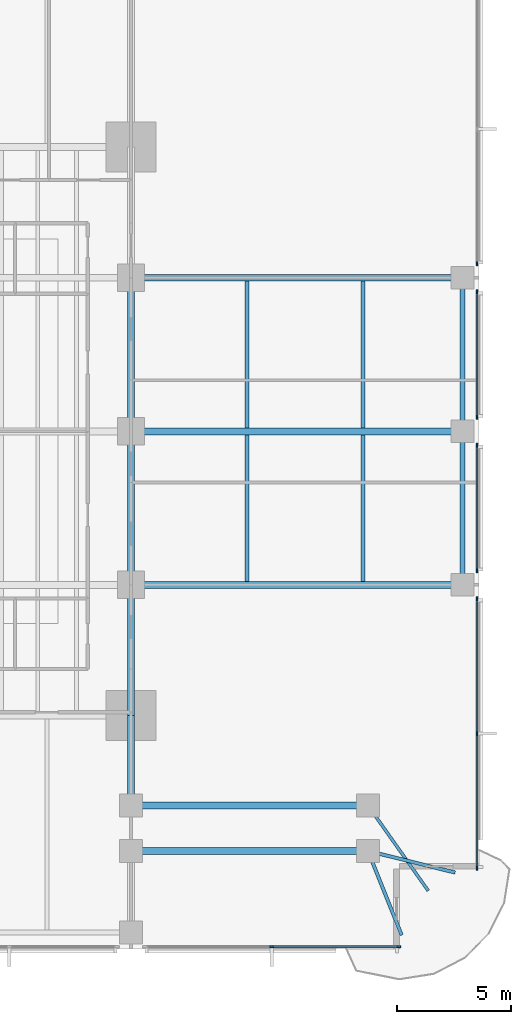
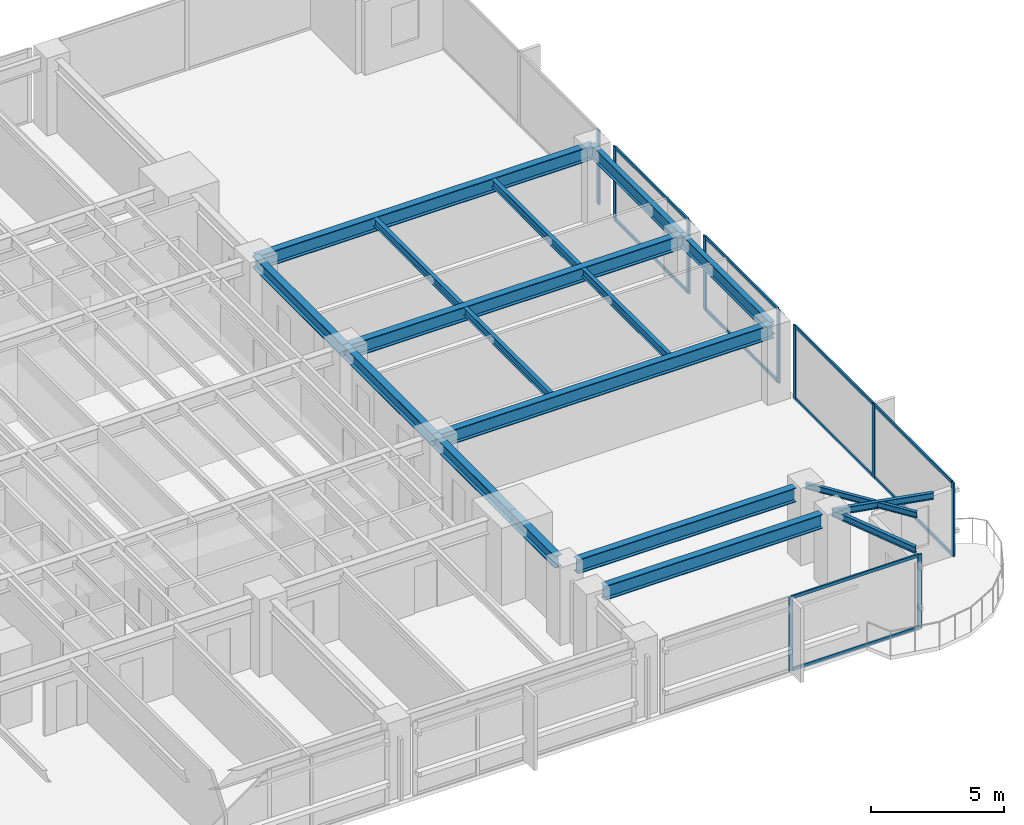
# One storey, part 4 of 16: 20 members, 18 beams, 5 elements without a shape of their own.
"""IFC4 building model written with IfcOpenShell, lengths in metres."""

import ifcopenshell
import ifcopenshell.guid

model = None  # the IFC model being written
_history = None  # IfcOwnerHistory: only IFC2X3 demands one
_inside = {}  # id of a spatial element -> (the spatial element, [elements in it])
_under = {}  # id of a project, library or spatial element -> (it, [spatial elements below it])
_declared = {}  # id of a project -> (the project, [libraries it declares])
_typed = {}  # id of a type object -> (the type object, [elements of that type])
_made_of = {}  # id of a material, layer set ... -> (it, [elements and type objects made of it])


def new_model(schema):
    """Start an empty IFC model of exactly this schema.

    Asked for "IFC4X3", IfcOpenShell would pick the latest addendum, in which some entities
    have other attributes; the version numbers below select the first issue.
    IFC2X3 requires an IfcOwnerHistory on every rooted entity: one is made here for all.
    """
    global model, _history
    if schema == "IFC4X3":
        model = ifcopenshell.file(schema_version=(4, 3, 0, 0))
    else:
        model = ifcopenshell.file(schema=schema)
    _inside.clear()
    _under.clear()
    _declared.clear()
    _typed.clear()
    _made_of.clear()
    _history = None
    if model.schema == "IFC2X3":
        org = make("IfcOrganization", Name="unknown")
        user = make(
            "IfcPersonAndOrganization",
            ThePerson=make("IfcPerson", FamilyName="unknown"),
            TheOrganization=org,
        )
        app = make(
            "IfcApplication",
            ApplicationDeveloper=org,
            Version="unknown",
            ApplicationFullName="unknown",
            ApplicationIdentifier="unknown",
        )
        _history = make(
            "IfcOwnerHistory",
            OwningUser=user,
            OwningApplication=app,
            ChangeAction="ADDED",
            CreationDate=0,
        )
    return model


def make(cls, **values):
    """One entity of the class cls with the attributes given. An attribute that is None is left unset."""
    return model.create_entity(
        cls, **{name: value for name, value in values.items() if value is not None}
    )


def rooted(cls, **values):
    """An entity with a GlobalId (a new one), such as an element, a storey or a relation."""
    return make(cls, GlobalId=ifcopenshell.guid.new(), OwnerHistory=_history, **values)


def si_unit(unit_type, name, prefix=None):
    """IfcSIUnit, for example si_unit("LENGTHUNIT", "METRE", prefix="MILLI")."""
    return make("IfcSIUnit", UnitType=unit_type, Prefix=prefix, Name=name)


def assignment(units):
    """IfcUnitAssignment: the units of a project."""
    return None if units is None else make("IfcUnitAssignment", Units=units)


def point(xyz):
    """IfcCartesianPoint."""
    return None if xyz is None else make("IfcCartesianPoint", Coordinates=xyz)


def direction(xyz):
    """IfcDirection."""
    return None if xyz is None else make("IfcDirection", DirectionRatios=xyz)


def frame(location, z_axis=None, x_axis=None):
    """IfcAxis2Placement3D, a coordinate frame: its origin and axes. An axis left out is left unset."""
    return make(
        "IfcAxis2Placement3D",
        Location=point(location),
        Axis=direction(z_axis),
        RefDirection=direction(x_axis),
    )


def frame_2d(location, x_axis=None):
    """IfcAxis2Placement2D, a coordinate frame in the plane: its origin and x axis."""
    return make(
        "IfcAxis2Placement2D", Location=point(location), RefDirection=direction(x_axis)
    )


def origin():
    """The frame at (0, 0, 0) with its axes left unset."""
    return frame((0.0, 0.0, 0.0))


def origin_2d():
    """The frame at (0, 0) in the plane with its x axis left unset."""
    return frame_2d((0.0, 0.0))


def place(relative_to, where):
    """IfcLocalPlacement: puts the frame where relative to a parent placement (None: the world)."""
    return make(
        "IfcLocalPlacement", PlacementRelTo=relative_to, RelativePlacement=where
    )


def context(
    kind, dimensions, precision=None, world=None, true_north=None, identifier=None
):
    """IfcGeometricRepresentationContext, for example the 3D "Model" context."""
    return make(
        "IfcGeometricRepresentationContext",
        ContextIdentifier=identifier,
        ContextType=kind,
        CoordinateSpaceDimension=dimensions,
        Precision=precision,
        WorldCoordinateSystem=world,
        TrueNorth=true_north,
    )


def subcontext(parent, identifier, kind, view, scale=None):
    """IfcGeometricRepresentationSubContext, for example "Body" below "Model"."""
    return make(
        "IfcGeometricRepresentationSubContext",
        ContextIdentifier=identifier,
        ContextType=kind,
        ParentContext=parent,
        TargetScale=scale,
        TargetView=view,
    )


def project(units=None, contexts=None):
    """IfcProject with its units and contexts."""
    return rooted(
        "IfcProject",
        Name="project",
        RepresentationContexts=contexts,
        UnitsInContext=assignment(units),
    )


def spatial(cls, under=None, at=None, **own):
    """A site, building, storey or space (cls), placed at a placement, below another one or the project."""
    s = rooted(cls, ObjectPlacement=at, **own)
    if under is not None:
        _under.setdefault(under.id(), (under, []))[1].append(s)
    return s


def profile(cls, at=None, kind="AREA", **sizes):
    """A parametric profile (cls). Its sizes go by their IFC names, for example OverallWidth=200.0."""
    return make(cls, ProfileType=kind, Position=at, **sizes)


def rectangle(**sizes):
    """IfcRectangleProfileDef."""
    return profile("IfcRectangleProfileDef", **sizes)


def i_section(**sizes):
    """IfcIShapeProfileDef."""
    return profile("IfcIShapeProfileDef", **sizes)


def extrude(swept, where, along, depth):
    """IfcExtrudedAreaSolid: the profile swept, set in the frame where, extruded along a direction by depth."""
    return make(
        "IfcExtrudedAreaSolid",
        SweptArea=swept,
        Position=where,
        ExtrudedDirection=direction(along),
        Depth=depth,
    )


def shape(context_of_items, identifier, shape_type, items):
    """IfcShapeRepresentation: the items that make up one representation, for example the "Body"."""
    return make(
        "IfcShapeRepresentation",
        ContextOfItems=context_of_items,
        RepresentationIdentifier=identifier,
        RepresentationType=shape_type,
        Items=items,
    )


def material(Name=None, Category=None):
    """IfcMaterial."""
    return make("IfcMaterial", Name=Name, Category=Category)


def layer(
    of_material, thickness, ventilated=None, Name=None, Category=None, Priority=None
):
    """IfcMaterialLayer: one layer of a wall or slab, of a material (None: an air gap)."""
    return make(
        "IfcMaterialLayer",
        Material=of_material,
        LayerThickness=thickness,
        IsVentilated=ventilated,
        Name=Name,
        Category=Category,
        Priority=Priority,
    )


def layer_set(layers, Name=None):
    """IfcMaterialLayerSet."""
    return make("IfcMaterialLayerSet", MaterialLayers=layers, LayerSetName=Name)


def material_profile(
    of_material, cross_section, Name=None, Category=None, Priority=None
):
    """IfcMaterialProfile: a cross section and its material."""
    return make(
        "IfcMaterialProfile",
        Name=Name,
        Material=of_material,
        Profile=cross_section,
        Priority=Priority,
        Category=Category,
    )


def profile_set(profiles, Name=None, composite=None):
    """IfcMaterialProfileSet."""
    return make(
        "IfcMaterialProfileSet",
        Name=Name,
        MaterialProfiles=profiles,
        CompositeProfile=composite,
    )


def made_of(thing, what):
    """Note that an element or type object is made of a material, layer set ...; save() writes the relation."""
    if what is not None:
        _made_of.setdefault(what.id(), (what, []))[1].append(thing)
    return thing


def type_object(cls, material=None, **own):
    """A type object (cls), such as IfcWallType, which elements share."""
    return made_of(rooted(cls, **own), material)


def element(
    cls,
    number,
    at=None,
    inside=None,
    cuts=None,
    type_object=None,
    material=None,
    context=None,
    identifier="Body",
    shape_type=None,
    held_by="IfcProductDefinitionShape",
    body=None,
    shapes=None,
    **own,
):
    """One element of the class cls, such as IfcWall. Its Tag is "e" and its number.

    at: its placement. inside: the storey or other place that contains it. cuts: it is an
    opening in that element (IfcRelVoidsElement). A single representation is given by context,
    identifier, shape_type and body (its items); several are given by shapes. held_by: the class
    of the entity that holds the representations. save() writes the other relations.
    """
    e = rooted(cls, Tag="e%d" % number, ObjectPlacement=at, **own)
    if body is not None:
        shapes = [shape(context, identifier, shape_type, body)]
    if shapes is not None:
        e.Representation = make(held_by, Representations=shapes)
    if inside is not None:
        _inside.setdefault(inside.id(), (inside, []))[1].append(e)
    if cuts is not None:
        rooted(
            "IfcRelVoidsElement", RelatingBuildingElement=cuts, RelatedOpeningElement=e
        )
    if type_object is not None:
        _typed.setdefault(type_object.id(), (type_object, []))[1].append(e)
    return made_of(e, material)


def aggregate(whole, parts):
    """IfcRelAggregates: a whole, such as a stair, and the parts it consists of."""
    return rooted("IfcRelAggregates", RelatingObject=whole, RelatedObjects=parts)


def save(model, path):
    """Write the relations noted so far, then the file.

    IfcRelAggregates (storeys below a building ...), IfcRelContainedInSpatialStructure (elements
    in a storey), IfcRelDefinesByType, IfcRelAssociatesMaterial and IfcRelDeclares: one each for
    every whole, place, type object, material and project.
    """
    for whole, parts in _under.values():
        aggregate(whole, parts)
    for where, things in _inside.values():
        rooted(
            "IfcRelContainedInSpatialStructure",
            RelatedElements=things,
            RelatingStructure=where,
        )
    for kind, things in _typed.values():
        rooted("IfcRelDefinesByType", RelatedObjects=things, RelatingType=kind)
    for what, things in _made_of.values():
        rooted("IfcRelAssociatesMaterial", RelatedObjects=things, RelatingMaterial=what)
    for by, libraries in _declared.values():
        rooted("IfcRelDeclares", RelatingContext=by, RelatedDefinitions=libraries)
    model.write(path)


model = new_model("IFC4")

# Units and contexts
model_context = context("Model", 3, precision=1e-05, world=origin(), true_north=direction((0.0, 1.0)))
body_context = subcontext(model_context, "Body", "Model", "MODEL_VIEW")
ifc_project = project(units=[si_unit("LENGTHUNIT", "METRE"), si_unit("AREAUNIT", "SQUARE_METRE"), si_unit("VOLUMEUNIT", "CUBIC_METRE"), si_unit("PLANEANGLEUNIT", "RADIAN"), si_unit("MASSUNIT", "GRAM", prefix="KILO")], contexts=[model_context])

# Site, building, storey
site_placement = place(None, origin())
site = spatial("IfcSite", under=ifc_project, at=site_placement, CompositionType="ELEMENT")
building_placement = place(site_placement, origin())
building = spatial("IfcBuilding", under=site, at=building_placement, Name="Kinhvarn Gate Tower", CompositionType="ELEMENT")
storey_placement = place(building_placement, frame((0.0, 0.0, 82.39990234375)))
storey = spatial("IfcBuildingStorey", under=building, at=storey_placement, Name="L21", CompositionType="ELEMENT", Elevation=82.39990234375)

# Curtain wall, members
ifc_material_1 = material(Name="Anodised aluminium AW-6063", Category="aluminium")
ifc_layer = layer(ifc_material_1, 0.179931640625)
ifc_layer_set = layer_set([ifc_layer], Name="Anodised aluminium AW-6063")
curtain_wall_type = type_object("IfcCurtainWallType", Name="CW-SYS-2", PredefinedType="NOTDEFINED", material=ifc_layer_set)
curtain_wall_1_placement = place(storey_placement, origin())
curtain_wall_1 = element("IfcCurtainWall", 1, at=curtain_wall_1_placement, inside=storey, type_object=curtain_wall_type, Name="Curtain Wall CW2 (L21)", PredefinedType="NOTDEFINED")
ifc_material_profile_1 = material_profile(ifc_material_1, rectangle(XDim=0.070068359375, YDim=0.179931640625, at=origin_2d()), Name="ALU 70x180")
ifc_profile_set_1 = profile_set([ifc_material_profile_1], Name="Anodised aluminium AW-6063")
member_type_1 = type_object("IfcMemberType", Name="CW-MUL-180", PredefinedType="MULLION", material=ifc_profile_set_1)
member_1_placement = place(storey_placement, frame((44.389892578125, 2.590087890625, 0.0), z_axis=(0.0, 0.0, 1.0), x_axis=(0.0, 1.0, 0.0)))
member_1 = element("IfcMember", 2, at=member_1_placement, type_object=member_type_1, Name="CW2 mullion 2", PredefinedType="MULLION", context=body_context, shape_type="SweptSolid", body=[
    extrude(rectangle(XDim=0.070068359375, YDim=0.179931640625, at=origin_2d()), origin(), (0.0, 0.0, 1.0), 3.3701171875),
])
member_2_placement = place(storey_placement, frame((49.965087890625, 2.590087890625, 0.0), z_axis=(0.0, 0.0, 1.0), x_axis=(0.0, 1.0, 0.0)))
member_2 = element("IfcMember", 3, at=member_2_placement, type_object=member_type_1, Name="CW2 mullion 3", PredefinedType="MULLION", context=body_context, shape_type="SweptSolid", body=[
    extrude(rectangle(XDim=0.070068359375, YDim=0.179931640625, at=origin_2d()), origin(), (0.0, 0.0, 1.0), 3.3701171875),
])

curtain_wall_2_placement = place(storey_placement, origin())
curtain_wall_2 = element("IfcCurtainWall", 4, at=curtain_wall_2_placement, inside=storey, type_object=curtain_wall_type, Name="Curtain Wall CW2 (L21)", PredefinedType="NOTDEFINED")
member_3_placement = place(storey_placement, frame((53.409912109375, 6.034912109375, 0.0), z_axis=(0.0, 0.0, 1.0), x_axis=(-1.0, 0.0, 0.0)))
member_3 = element("IfcMember", 5, at=member_3_placement, type_object=member_type_1, Name="CW2 mullion 1", PredefinedType="MULLION", context=body_context, shape_type="SweptSolid", body=[
    extrude(rectangle(XDim=0.070068359375, YDim=0.179931640625, at=origin_2d()), origin(), (0.0, 0.0, 1.0), 3.3701171875),
])
member_4_placement = place(storey_placement, frame((53.409912109375, 11.9599609375, 0.0), z_axis=(0.0, 0.0, 1.0), x_axis=(-1.0, 0.0, 0.0)))
member_4 = element("IfcMember", 6, at=member_4_placement, type_object=member_type_1, Name="CW2 mullion 2", PredefinedType="MULLION", context=body_context, shape_type="SweptSolid", body=[
    extrude(rectangle(XDim=0.070068359375, YDim=0.179931640625, at=origin_2d()), origin(), (0.0, 0.0, 1.0), 3.3701171875),
])
member_5_placement = place(storey_placement, frame((53.409912109375, 17.885009765625, 0.0), z_axis=(0.0, 0.0, 1.0), x_axis=(-1.0, 0.0, 0.0)))
member_5 = element("IfcMember", 7, at=member_5_placement, type_object=member_type_1, Name="CW2 mullion 3", PredefinedType="MULLION", context=body_context, shape_type="SweptSolid", body=[
    extrude(rectangle(XDim=0.070068359375, YDim=0.179931640625, at=origin_2d()), origin(), (0.0, 0.0, 1.0), 3.3701171875),
])

curtain_wall_3_placement = place(storey_placement, origin())
curtain_wall_3 = element("IfcCurtainWall", 8, at=curtain_wall_3_placement, inside=storey, type_object=curtain_wall_type, Name="Curtain Wall CW2 (L21)", PredefinedType="NOTDEFINED")
member_6_placement = place(storey_placement, frame((53.409912109375, 19.114990234375, 0.0), z_axis=(0.0, 0.0, 1.0), x_axis=(-1.0, 0.0, 0.0)))
member_6 = element("IfcMember", 9, at=member_6_placement, type_object=member_type_1, Name="CW2 mullion 1", PredefinedType="MULLION", context=body_context, shape_type="SweptSolid", body=[
    extrude(rectangle(XDim=0.070068359375, YDim=0.179931640625, at=origin_2d()), origin(), (0.0, 0.0, 1.0), 3.3701171875),
])
member_7_placement = place(storey_placement, frame((53.409912109375, 24.635009765625, 0.0), z_axis=(0.0, 0.0, 1.0), x_axis=(-1.0, 0.0, 0.0)))
member_7 = element("IfcMember", 10, at=member_7_placement, type_object=member_type_1, Name="CW2 mullion 2", PredefinedType="MULLION", context=body_context, shape_type="SweptSolid", body=[
    extrude(rectangle(XDim=0.070068359375, YDim=0.179931640625, at=origin_2d()), origin(), (0.0, 0.0, 1.0), 3.3701171875),
])

curtain_wall_4_placement = place(storey_placement, origin())
curtain_wall_4 = element("IfcCurtainWall", 11, at=curtain_wall_4_placement, inside=storey, type_object=curtain_wall_type, Name="Curtain Wall CW2 (L21)", PredefinedType="NOTDEFINED")
member_8_placement = place(storey_placement, frame((53.409912109375, 25.864990234375, 0.0), z_axis=(0.0, 0.0, 1.0), x_axis=(-1.0, 0.0, 0.0)))
member_8 = element("IfcMember", 12, at=member_8_placement, type_object=member_type_1, Name="CW2 mullion 1", PredefinedType="MULLION", context=body_context, shape_type="SweptSolid", body=[
    extrude(rectangle(XDim=0.070068359375, YDim=0.179931640625, at=origin_2d()), origin(), (0.0, 0.0, 1.0), 3.3701171875),
])
member_9_placement = place(storey_placement, frame((53.409912109375, 31.385009765625, 0.0), z_axis=(0.0, 0.0, 1.0), x_axis=(-1.0, 0.0, 0.0)))
member_9 = element("IfcMember", 13, at=member_9_placement, type_object=member_type_1, Name="CW2 mullion 2", PredefinedType="MULLION", context=body_context, shape_type="SweptSolid", body=[
    extrude(rectangle(XDim=0.070068359375, YDim=0.179931640625, at=origin_2d()), origin(), (0.0, 0.0, 1.0), 3.3701171875),
])

# Curtain wall, member
curtain_wall_5_placement = place(storey_placement, origin())
curtain_wall_5 = element("IfcCurtainWall", 14, at=curtain_wall_5_placement, inside=storey, type_object=curtain_wall_type, Name="Curtain Wall CW2 (L21)", PredefinedType="NOTDEFINED")
member_10_placement = place(storey_placement, frame((53.409912109375, 32.614990234375, 0.0), z_axis=(0.0, 0.0, 1.0), x_axis=(-1.0, 0.0, 0.0)))
member_10 = element("IfcMember", 15, at=member_10_placement, type_object=member_type_1, Name="CW2 mullion 1", PredefinedType="MULLION", context=body_context, shape_type="SweptSolid", body=[
    extrude(rectangle(XDim=0.070068359375, YDim=0.179931640625, at=origin_2d()), origin(), (0.0, 0.0, 1.0), 3.3701171875),
])
aggregate(curtain_wall_5, [member_10])

# Member
ifc_material_profile_2 = material_profile(ifc_material_1, rectangle(XDim=0.070068359375, YDim=0.139892578125, at=origin_2d()), Name="ALU 70x140")
ifc_profile_set_2 = profile_set([ifc_material_profile_2], Name="Anodised aluminium AW-6063")
member_type_2 = type_object("IfcMemberType", Name="CW-TRN-140", PredefinedType="USERDEFINED", material=ifc_profile_set_2)
member_11_placement = place(storey_placement, frame((44.425048828125, 2.590087890625, 0.03515625), z_axis=(1.0, 0.0, 0.0), x_axis=(0.0, 1.0, 0.0)))
member_11 = element("IfcMember", 16, at=member_11_placement, type_object=member_type_2, Name="CW2 transom 2.1", ObjectType="TRANSOM", PredefinedType="USERDEFINED", context=body_context, shape_type="SweptSolid", body=[
    extrude(rectangle(XDim=0.070068359375, YDim=0.139892578125, at=origin_2d()), origin(), (0.0, 0.0, 1.0), 5.5048828125),
])

member_12_placement = place(storey_placement, frame((44.425048828125, 2.590087890625, 3.335205078125), z_axis=(1.0, 0.0, 0.0), x_axis=(0.0, 1.0, 0.0)))
member_12 = element("IfcMember", 17, at=member_12_placement, type_object=member_type_2, Name="CW2 transom 2.2", ObjectType="TRANSOM", PredefinedType="USERDEFINED", context=body_context, shape_type="SweptSolid", body=[
    extrude(rectangle(XDim=0.070068359375, YDim=0.139892578125, at=origin_2d()), origin(), (0.0, 0.0, 1.0), 5.5048828125),
])

aggregate(curtain_wall_1, [member_1, member_2, member_11, member_12])

member_13_placement = place(storey_placement, frame((53.409912109375, 6.070068359375, 0.03515625), z_axis=(0.0, 1.0, 0.0), x_axis=(-1.0, 0.0, 0.0)))
member_13 = element("IfcMember", 18, at=member_13_placement, type_object=member_type_2, Name="CW2 transom 1.1", ObjectType="TRANSOM", PredefinedType="USERDEFINED", context=body_context, shape_type="SweptSolid", body=[
    extrude(rectangle(XDim=0.070068359375, YDim=0.139892578125, at=origin_2d()), origin(), (0.0, 0.0, 1.0), 5.85498046875),
])

member_14_placement = place(storey_placement, frame((53.409912109375, 6.070068359375, 3.335205078125), z_axis=(0.0, 1.0, 0.0), x_axis=(-1.0, 0.0, 0.0)))
member_14 = element("IfcMember", 19, at=member_14_placement, type_object=member_type_2, Name="CW2 transom 1.2", ObjectType="TRANSOM", PredefinedType="USERDEFINED", context=body_context, shape_type="SweptSolid", body=[
    extrude(rectangle(XDim=0.070068359375, YDim=0.139892578125, at=origin_2d()), origin(), (0.0, 0.0, 1.0), 5.85498046875),
])

member_15_placement = place(storey_placement, frame((53.409912109375, 11.9951171875, 0.03515625), z_axis=(0.0, 1.0, 0.0), x_axis=(-1.0, 0.0, 0.0)))
member_15 = element("IfcMember", 20, at=member_15_placement, type_object=member_type_2, Name="CW2 transom 2.1", ObjectType="TRANSOM", PredefinedType="USERDEFINED", context=body_context, shape_type="SweptSolid", body=[
    extrude(rectangle(XDim=0.070068359375, YDim=0.139892578125, at=origin_2d()), origin(), (0.0, 0.0, 1.0), 5.85498046875),
])

member_16_placement = place(storey_placement, frame((53.409912109375, 11.9951171875, 3.335205078125), z_axis=(0.0, 1.0, 0.0), x_axis=(-1.0, 0.0, 0.0)))
member_16 = element("IfcMember", 21, at=member_16_placement, type_object=member_type_2, Name="CW2 transom 2.2", ObjectType="TRANSOM", PredefinedType="USERDEFINED", context=body_context, shape_type="SweptSolid", body=[
    extrude(rectangle(XDim=0.070068359375, YDim=0.139892578125, at=origin_2d()), origin(), (0.0, 0.0, 1.0), 5.85498046875),
])

aggregate(curtain_wall_2, [member_3, member_4, member_5, member_13, member_14, member_15, member_16])

member_17_placement = place(storey_placement, frame((53.409912109375, 19.14990234375, 0.03515625), z_axis=(0.0, 1.0, 0.0), x_axis=(-1.0, 0.0, 0.0)))
member_17 = element("IfcMember", 22, at=member_17_placement, type_object=member_type_2, Name="CW2 transom 1.1", ObjectType="TRANSOM", PredefinedType="USERDEFINED", context=body_context, shape_type="SweptSolid", body=[
    extrude(rectangle(XDim=0.070068359375, YDim=0.139892578125, at=origin_2d()), origin(), (0.0, 0.0, 1.0), 5.4501953125),
])

member_18_placement = place(storey_placement, frame((53.409912109375, 19.14990234375, 3.335205078125), z_axis=(0.0, 1.0, 0.0), x_axis=(-1.0, 0.0, 0.0)))
member_18 = element("IfcMember", 23, at=member_18_placement, type_object=member_type_2, Name="CW2 transom 1.2", ObjectType="TRANSOM", PredefinedType="USERDEFINED", context=body_context, shape_type="SweptSolid", body=[
    extrude(rectangle(XDim=0.070068359375, YDim=0.139892578125, at=origin_2d()), origin(), (0.0, 0.0, 1.0), 5.4501953125),
])

aggregate(curtain_wall_3, [member_6, member_7, member_17, member_18])

member_19_placement = place(storey_placement, frame((53.409912109375, 25.89990234375, 0.03515625), z_axis=(0.0, 1.0, 0.0), x_axis=(-1.0, 0.0, 0.0)))
member_19 = element("IfcMember", 24, at=member_19_placement, type_object=member_type_2, Name="CW2 transom 1.1", ObjectType="TRANSOM", PredefinedType="USERDEFINED", context=body_context, shape_type="SweptSolid", body=[
    extrude(rectangle(XDim=0.070068359375, YDim=0.139892578125, at=origin_2d()), origin(), (0.0, 0.0, 1.0), 5.4501953125),
])

member_20_placement = place(storey_placement, frame((53.409912109375, 25.89990234375, 3.335205078125), z_axis=(0.0, 1.0, 0.0), x_axis=(-1.0, 0.0, 0.0)))
member_20 = element("IfcMember", 25, at=member_20_placement, type_object=member_type_2, Name="CW2 transom 1.2", ObjectType="TRANSOM", PredefinedType="USERDEFINED", context=body_context, shape_type="SweptSolid", body=[
    extrude(rectangle(XDim=0.070068359375, YDim=0.139892578125, at=origin_2d()), origin(), (0.0, 0.0, 1.0), 5.4501953125),
])

aggregate(curtain_wall_4, [member_8, member_9, member_19, member_20])

# Beams
ifc_material_2 = material(Name="Steel S355", Category="steel")
ifc_material_profile_3 = material_profile(ifc_material_2, i_section(OverallWidth=0.300048828125, OverallDepth=0.550048828125, WebThickness=0.014892578125, FlangeThickness=0.029052734375, at=origin_2d()), Name="HEB 550")
ifc_profile_set_3 = profile_set([ifc_material_profile_3], Name="Steel S355")
beam_type_1 = type_object("IfcBeamType", Name="STL-HEB550", PredefinedType="BEAM", material=ifc_profile_set_3)
beam_1_placement = place(storey_placement, frame((38.199951171875, 9.284912109375, 3.09521484375), z_axis=(0.0, 1.0, 0.0), x_axis=(-1.0, 0.0, 0.0)))
element("IfcBeam", 26, at=beam_1_placement, inside=storey, type_object=beam_type_1, Name="Floor Beam PG-15 (L21 MCE-S-A2)", PredefinedType="BEAM", context=body_context, shape_type="SweptSolid", body=[
    extrude(i_section(OverallWidth=0.300048828125, OverallDepth=0.550048828125, WebThickness=0.014892578125, FlangeThickness=0.029052734375, at=origin_2d()), origin(), (0.0, 0.0, 1.0), 3.465087890625),
])
beam_2_placement = place(storey_placement, frame((38.199951171875, 12.75, 3.09521484375), z_axis=(0.0, 1.0, 0.0), x_axis=(-1.0, 0.0, 0.0)))
element("IfcBeam", 27, at=beam_2_placement, inside=storey, type_object=beam_type_1, Name="Floor Beam PG-15 (L21 MG-E-12)", PredefinedType="BEAM", context=body_context, shape_type="SweptSolid", body=[
    extrude(i_section(OverallWidth=0.300048828125, OverallDepth=0.550048828125, WebThickness=0.014892578125, FlangeThickness=0.029052734375, at=origin_2d()), origin(), (0.0, 0.0, 1.0), 5.75),
])
for number, where, z_axis, x_axis, name in (
    (28, (38.199951171875, 18.5, 3.09521484375), (0.0, 1.0, 0.0), (-1.0, 0.0, 0.0), "Floor Beam PG-15 (L21 MG-E-18)"),
    (29, (38.199951171875, 25.25, 3.09521484375), (0.0, 1.0, 0.0), (-1.0, 0.0, 0.0), "Floor Beam PG-15 (L21 MG-E-25)"),
):
    element("IfcBeam", number, at=place(storey_placement, frame(where, z_axis=z_axis, x_axis=x_axis)), inside=storey, type_object=beam_type_1, Name=name, PredefinedType="BEAM", context=body_context, shape_type="SweptSolid", body=[
        extrude(i_section(OverallWidth=0.300048828125, OverallDepth=0.550048828125, WebThickness=0.014892578125, FlangeThickness=0.029052734375, at=origin_2d()), origin(), (0.0, 0.0, 1.0), 6.75),
    ])
ifc_material_profile_4 = material_profile(ifc_material_2, i_section(OverallWidth=0.300048828125, OverallDepth=0.64990234375, WebThickness=0.01611328125, FlangeThickness=0.031005859375, at=origin_2d()), Name="HEB 650")
ifc_profile_set_4 = profile_set([ifc_material_profile_4], Name="Steel S355")
beam_type_2 = type_object("IfcBeamType", Name="STL-HEB650", PredefinedType="BEAM", material=ifc_profile_set_4)
for number, where, z_axis, x_axis, name in (
    (30, (38.68505859375, 8.800048828125, 3.045166015625), (1.0, 0.0, 0.0), (0.0, 1.0, 0.0), "Floor Beam PG-17 (L21 SP-SE1B)"),
    (31, (38.68505859375, 6.800048828125, 3.045166015625), (1.0, 0.0, 0.0), (0.0, 1.0, 0.0), "Floor Beam PG-17 (L21 SP-SE1A)"),
):
    element("IfcBeam", number, at=place(storey_placement, frame(where, z_axis=z_axis, x_axis=x_axis)), inside=storey, type_object=beam_type_2, Name=name, PredefinedType="BEAM", context=body_context, shape_type="SweptSolid", body=[
        extrude(i_section(OverallWidth=0.300048828125, OverallDepth=0.64990234375, WebThickness=0.01611328125, FlangeThickness=0.031005859375, at=origin_2d()), origin(), (0.0, 0.0, 1.0), 9.449951171875),
    ])
for number, where, z_axis, x_axis, name in (
    (32, (38.199951171875, 18.5, 3.045166015625), (1.0, 0.0, 0.0), (0.0, 1.0, 0.0), "Floor Beam PG-17 (L21 EW2-Y18)"),
    (33, (38.199951171875, 25.25, 3.045166015625), (1.0, 0.0, 0.0), (0.0, 1.0, 0.0), "Floor Beam PG-17 (L21 EW2-Y25)"),
    (34, (38.199951171875, 32.0, 3.045166015625), (1.0, 0.0, 0.0), (0.0, 1.0, 0.0), "Floor Beam PG-17 (L21 EW2-Y32)"),
):
    element("IfcBeam", number, at=place(storey_placement, frame(where, z_axis=z_axis, x_axis=x_axis)), inside=storey, type_object=beam_type_2, Name=name, PredefinedType="BEAM", context=body_context, shape_type="SweptSolid", body=[
        extrude(i_section(OverallWidth=0.300048828125, OverallDepth=0.64990234375, WebThickness=0.01611328125, FlangeThickness=0.031005859375, at=origin_2d()), origin(), (0.0, 0.0, 1.0), 14.580078125),
    ])
ifc_material_profile_5 = material_profile(ifc_material_2, i_section(OverallWidth=0.135009765625, OverallDepth=0.27001953125, WebThickness=0.006591796875, FlangeThickness=0.01025390625, at=origin_2d()), Name="IPE 270")
ifc_profile_set_5 = profile_set([ifc_material_profile_5], Name="Steel S355")
beam_type_3 = type_object("IfcBeamType", Name="STL-IPE270", PredefinedType="JOIST", material=ifc_profile_set_5)
beam_3_placement = place(storey_placement, frame((48.6201171875, 8.800048828125, 3.235107421875), z_axis=(0.57709644225, -0.81667600451, 0.0), x_axis=(0.81667600451, 0.57709644225, 0.0)))
element("IfcBeam", 35, at=beam_3_placement, inside=storey, type_object=beam_type_3, Name="Floor Joist SB-01 (L21 BAL-B3-L22)", PredefinedType="JOIST", context=body_context, shape_type="SweptSolid", body=[
    extrude(i_section(OverallWidth=0.135009765625, OverallDepth=0.27001953125, WebThickness=0.006591796875, FlangeThickness=0.01025390625, at=origin_2d()), origin(), (0.0, 0.0, 1.0), 4.591796875),
])
ifc_material_profile_6 = material_profile(ifc_material_2, i_section(OverallWidth=0.14990234375, OverallDepth=0.300048828125, WebThickness=0.007080078125, FlangeThickness=0.0107421875, at=origin_2d()), Name="IPE 300")
ifc_profile_set_6 = profile_set([ifc_material_profile_6], Name="Steel S355")
beam_type_4 = type_object("IfcBeamType", Name="STL-IPE300", PredefinedType="JOIST", material=ifc_profile_set_6)
beam_4_placement = place(storey_placement, frame((48.6201171875, 6.800048828125, 3.22021484375), z_axis=(0.97058851083, -0.240744558911, 0.0), x_axis=(0.240744558911, 0.97058851083, 0.0)))
element("IfcBeam", 36, at=beam_4_placement, inside=storey, type_object=beam_type_4, Name="Floor Joist SB-02 (L21 BAL-B1-L22)", PredefinedType="JOIST", context=body_context, shape_type="SweptSolid", body=[
    extrude(i_section(OverallWidth=0.14990234375, OverallDepth=0.300048828125, WebThickness=0.007080078125, FlangeThickness=0.0107421875, at=origin_2d()), origin(), (0.0, 0.0, 1.0), 3.94580078125),
])
beam_5_placement = place(storey_placement, frame((48.6201171875, 6.800048828125, 3.22021484375), z_axis=(0.371390676354, -0.928476690885, 0.0), x_axis=(0.928476690885, 0.371390676354, 0.0)))
element("IfcBeam", 37, at=beam_5_placement, inside=storey, type_object=beam_type_4, Name="Floor Joist SB-02 (L21 BAL-B2-L22)", PredefinedType="JOIST", context=body_context, shape_type="SweptSolid", body=[
    extrude(i_section(OverallWidth=0.14990234375, OverallDepth=0.300048828125, WebThickness=0.007080078125, FlangeThickness=0.0107421875, at=origin_2d()), origin(), (0.0, 0.0, 1.0), 3.98486328125),
])
ifc_material_profile_7 = material_profile(ifc_material_2, i_section(OverallWidth=0.169921875, OverallDepth=0.360107421875, WebThickness=0.008056640625, FlangeThickness=0.0126953125, at=origin_2d()), Name="IPE 360")
ifc_profile_set_7 = profile_set([ifc_material_profile_7], Name="Steel S355")
beam_type_5 = type_object("IfcBeamType", Name="STL-IPE360", PredefinedType="JOIST", material=ifc_profile_set_7)
for number, where, z_axis, x_axis, name in (
    (38, (43.300048828125, 18.64990234375, 3.190185546875), (0.0, 1.0, 0.0), (-1.0, 0.0, 0.0), "Floor Joist SB-04 (L21 JC-X433-1)"),
    (39, (43.300048828125, 25.39990234375, 3.190185546875), (0.0, 1.0, 0.0), (-1.0, 0.0, 0.0), "Floor Joist SB-04 (L21 JC-X433-2)"),
    (40, (48.409912109375, 18.64990234375, 3.190185546875), (0.0, 1.0, 0.0), (-1.0, 0.0, 0.0), "Floor Joist SB-04 (L21 JC-X484-1)"),
    (41, (48.409912109375, 25.39990234375, 3.190185546875), (0.0, 1.0, 0.0), (-1.0, 0.0, 0.0), "Floor Joist SB-04 (L21 JC-X484-2)"),
):
    element("IfcBeam", number, at=place(storey_placement, frame(where, z_axis=z_axis, x_axis=x_axis)), inside=storey, type_object=beam_type_5, Name=name, PredefinedType="JOIST", context=body_context, shape_type="SweptSolid", body=[
        extrude(i_section(OverallWidth=0.169921875, OverallDepth=0.360107421875, WebThickness=0.008056640625, FlangeThickness=0.0126953125, at=origin_2d()), origin(), (0.0, 0.0, 1.0), 6.4501953125),
    ])
ifc_material_profile_8 = material_profile(ifc_material_2, i_section(OverallWidth=0.219970703125, OverallDepth=0.60009765625, WebThickness=0.011962890625, FlangeThickness=0.01904296875, at=origin_2d()), Name="IPE 600")
ifc_profile_set_8 = profile_set([ifc_material_profile_8], Name="Steel S355")
beam_type_6 = type_object("IfcBeamType", Name="STL-IPE600", PredefinedType="SPANDREL", material=ifc_profile_set_8)
for number, where, z_axis, x_axis, name in (
    (42, (52.780029296875, 18.5, 3.070068359375), (0.0, 1.0, 0.0), (-1.0, 0.0, 0.0), "Floor Spandrel SB-09 (L21 SP-E2)"),
    (43, (52.780029296875, 25.25, 3.070068359375), (0.0, 1.0, 0.0), (-1.0, 0.0, 0.0), "Floor Spandrel SB-09 (L21 SP-E3)"),
):
    element("IfcBeam", number, at=place(storey_placement, frame(where, z_axis=z_axis, x_axis=x_axis)), inside=storey, type_object=beam_type_6, Name=name, PredefinedType="SPANDREL", context=body_context, shape_type="SweptSolid", body=[
        extrude(i_section(OverallWidth=0.219970703125, OverallDepth=0.60009765625, WebThickness=0.011962890625, FlangeThickness=0.01904296875, at=origin_2d()), origin(), (0.0, 0.0, 1.0), 6.75),
    ])

save(model, "model.ifc")
